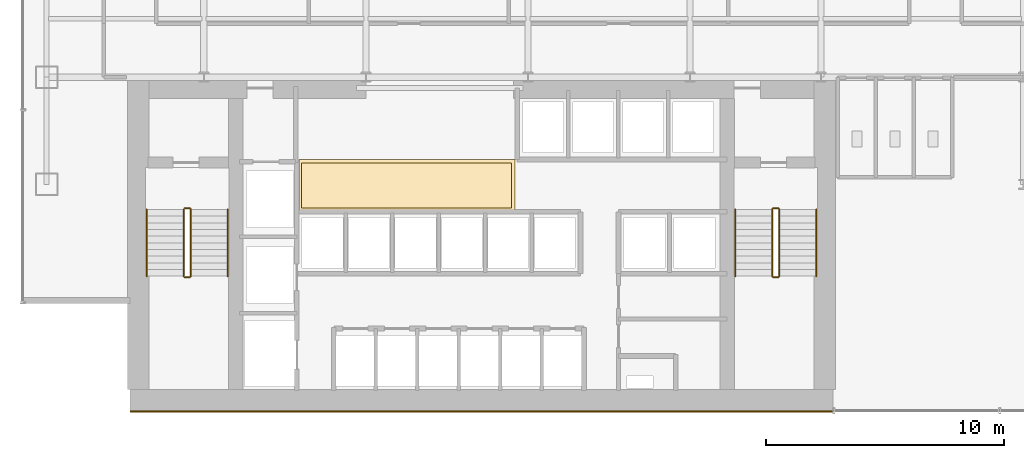
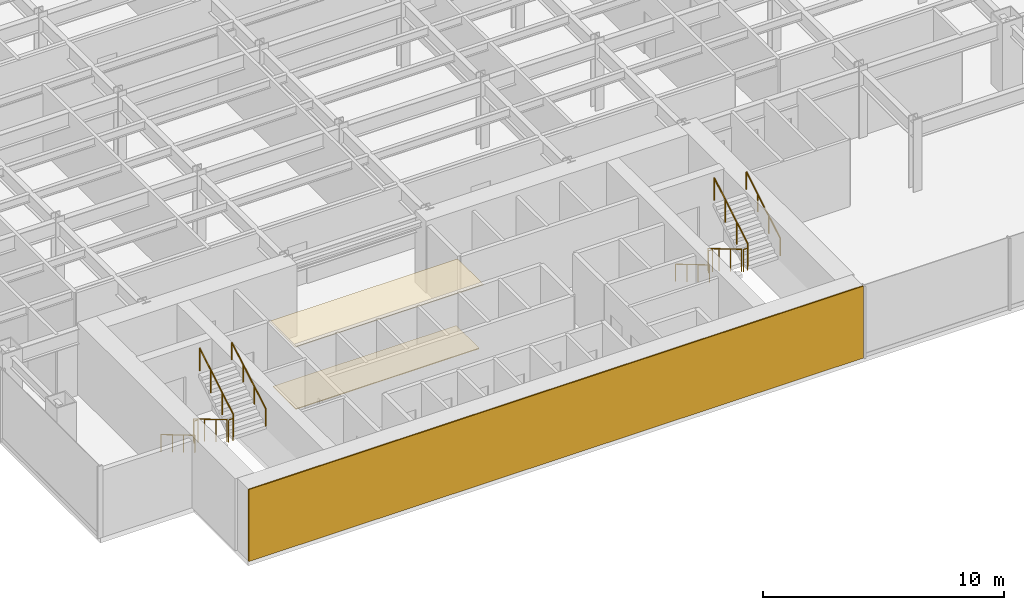
# One storey, part 21 of 23: 12 railings, 3 coverings.
"""IFC4 building model written with IfcOpenShell, lengths in metres."""

from ifc_helpers import new_model, si_unit, derived_unit, direction, frame, origin, origin_2d, place, context, subcontext, project, spatial, polyline, rectangle, circle, outline, extrude, source, transform, mapped, material, layer, layer_set, type_object, element, save


model = new_model("IFC4")

# Units and contexts
model_context = context("Model", 3, precision=1e-05, world=origin(), true_north=direction((0.0, 1.0)))
body_context = subcontext(model_context, "Body", "Model", "MODEL_VIEW")
ifc_project = project(units=[si_unit("LENGTHUNIT", "METRE"), si_unit("AREAUNIT", "SQUARE_METRE"), si_unit("VOLUMEUNIT", "CUBIC_METRE"), si_unit("PLANEANGLEUNIT", "RADIAN"), si_unit("MASSUNIT", "GRAM", prefix="KILO"), derived_unit("THERMALTRANSMITTANCEUNIT", [(si_unit("POWERUNIT", "WATT"), 1), (si_unit("LENGTHUNIT", "METRE"), -2), (si_unit("THERMODYNAMICTEMPERATUREUNIT", "KELVIN"), -1)])], contexts=[model_context])

# Site, building, storey
site_placement = place(None, origin())
site = spatial("IfcSite", under=ifc_project, at=site_placement, CompositionType="ELEMENT")
building_placement = place(site_placement, origin())
building = spatial("IfcBuilding", under=site, at=building_placement, Name="Skarnbrae Concourse Arena and Tower", CompositionType="ELEMENT")
storey_placement = place(building_placement, frame((0.0, 0.0, 47.10009765625)))
storey = spatial("IfcBuildingStorey", under=building, at=storey_placement, Name="L10", CompositionType="ELEMENT", Elevation=47.10009765625)

# Coverings
ifc_material_1 = material(Name="Mineral fibre acoustic ceiling tile", Category="other")
ifc_layer_1 = layer(ifc_material_1, 0.0400390625)
ifc_layer_set_1 = layer_set([ifc_layer_1], Name="Mineral fibre acoustic ceiling tile")
covering_type_1 = type_object("IfcCoveringType", Name="COV-CEIL-ACOUSTIC", PredefinedType="CEILING", material=ifc_layer_set_1)
covering_1_placement = place(storey_placement, frame((0.0, 0.0, 3.239990234375)))
element("IfcCovering", 1, at=covering_1_placement, inside=storey, type_object=covering_type_1, Name="L10 Lift lobby acoustic ceiling", PredefinedType="CEILING", context=body_context, shape_type="SweptSolid", body=[
    extrude(outline(polyline([(11.60009765625, 8.39990234375), (20.64990234375, 8.39990234375), (20.64990234375, 10.550048828125), (11.60009765625, 10.550048828125), (11.60009765625, 8.39990234375)])), origin(), (0.0, 0.0, 1.0), 0.039794921875),
])
ifc_material_2 = material(Name="Polished granite terrazzo flooring", Category="masonry")
ifc_layer_2 = layer(ifc_material_2, 0.0400390625)
ifc_layer_set_2 = layer_set([ifc_layer_2], Name="Polished granite terrazzo flooring")
covering_type_2 = type_object("IfcCoveringType", Name="COV-FLOOR-TERRAZZO", PredefinedType="FLOORING", material=ifc_layer_set_2)
covering_2_placement = place(storey_placement, origin())
element("IfcCovering", 2, at=covering_2_placement, inside=storey, type_object=covering_type_2, Name="L10 Lift lobby terrazzo flooring", PredefinedType="FLOORING", context=body_context, shape_type="SweptSolid", body=[
    extrude(outline(polyline([(11.699951171875, 8.5), (20.5, 8.5), (20.5, 10.39990234375), (11.699951171875, 10.39990234375), (11.699951171875, 8.5)])), origin(), (0.0, 0.0, 1.0), 0.039794921875),
])

# Railings
ifc_material_3 = material(Name="Steel CSA G40.21 350W", Category="steel")
railing_type_1 = type_object("IfcRailingType", Name="RAIL-HANDRAIL-900", PredefinedType="HANDRAIL", material=ifc_material_3)
railing_1_placement = place(storey_placement, frame((5.199951171875, 8.449951171875, 0.165771484375)))
element("IfcRailing", 3, at=railing_1_placement, inside=storey, type_object=railing_type_1, Name="L10 ST-1 stair handrail 1", PredefinedType="HANDRAIL", context=body_context, shape_type="SweptSolid", body=[
    extrude(circle(Radius=0.02392578125, at=origin_2d()), frame((0.0, 0.0, 0.8759765625), z_axis=(0.0, -0.860306154799, 0.50977771628), x_axis=(1.0, 0.0, 0.0)), (0.0, 0.0, 1.0), 3.254638671875),
    extrude(circle(Radius=0.02099609375, at=origin_2d()), origin(), (0.0, 0.0, 1.0), 0.851806640625),
    extrude(circle(Radius=0.02099609375, at=origin_2d()), frame((0.0, -0.933349609375, 0.552978515625)), (0.0, 0.0, 1.0), 0.851806640625),
    extrude(circle(Radius=0.02099609375, at=origin_2d()), frame((0.0, -1.86669921875, 1.106201171875)), (0.0, 0.0, 1.0), 0.851806640625),
    extrude(circle(Radius=0.02099609375, at=origin_2d()), frame((0.0, -2.800048828125, 1.6591796875)), (0.0, 0.0, 1.0), 0.851806640625),
])
railing_2_placement = place(storey_placement, frame((8.60009765625, 5.64990234375, 1.99072265625)))
element("IfcRailing", 4, at=railing_2_placement, inside=storey, type_object=railing_type_1, Name="L10 ST-1 stair handrail 2", PredefinedType="HANDRAIL", context=body_context, shape_type="SweptSolid", body=[
    extrude(circle(Radius=0.02392578125, at=origin_2d()), frame((0.0, 0.0, 0.8759765625), z_axis=(0.0, 0.860306154799, 0.50977771628), x_axis=(-1.0, 0.0, 0.0)), (0.0, 0.0, 1.0), 3.254638671875),
    extrude(circle(Radius=0.02099609375, at=origin_2d()), origin(), (0.0, 0.0, 1.0), 0.851806640625),
    extrude(circle(Radius=0.02099609375, at=origin_2d()), frame((0.0, 0.933349609375, 0.552978515625)), (0.0, 0.0, 1.0), 0.851806640625),
    extrude(circle(Radius=0.02099609375, at=origin_2d()), frame((0.0, 1.86669921875, 1.106201171875)), (0.0, 0.0, 1.0), 0.851806640625),
    extrude(circle(Radius=0.02099609375, at=origin_2d()), frame((0.0, 2.800048828125, 1.6591796875)), (0.0, 0.0, 1.0), 0.851806640625),
])
railing_3_placement = place(storey_placement, frame((29.89990234375, 8.449951171875, 0.165771484375)))
element("IfcRailing", 5, at=railing_3_placement, inside=storey, type_object=railing_type_1, Name="L10 ST-2 stair handrail 1", PredefinedType="HANDRAIL", context=body_context, shape_type="SweptSolid", body=[
    extrude(circle(Radius=0.02392578125, at=origin_2d()), frame((0.0, 0.0, 0.8759765625), z_axis=(0.0, -0.860306154799, 0.50977771628), x_axis=(1.0, 0.0, 0.0)), (0.0, 0.0, 1.0), 3.254638671875),
    extrude(circle(Radius=0.02099609375, at=origin_2d()), origin(), (0.0, 0.0, 1.0), 0.851806640625),
    extrude(circle(Radius=0.02099609375, at=origin_2d()), frame((0.0, -0.933349609375, 0.552978515625)), (0.0, 0.0, 1.0), 0.851806640625),
    extrude(circle(Radius=0.02099609375, at=origin_2d()), frame((0.0, -1.86669921875, 1.106201171875)), (0.0, 0.0, 1.0), 0.851806640625),
    extrude(circle(Radius=0.02099609375, at=origin_2d()), frame((0.0, -2.800048828125, 1.6591796875)), (0.0, 0.0, 1.0), 0.851806640625),
])
railing_4_placement = place(storey_placement, frame((33.300048828125, 5.64990234375, 1.99072265625)))
element("IfcRailing", 6, at=railing_4_placement, inside=storey, type_object=railing_type_1, Name="L10 ST-2 stair handrail 2", PredefinedType="HANDRAIL", context=body_context, shape_type="SweptSolid", body=[
    extrude(circle(Radius=0.02392578125, at=origin_2d()), frame((0.0, 0.0, 0.8759765625), z_axis=(0.0, 0.860306154799, 0.50977771628), x_axis=(-1.0, 0.0, 0.0)), (0.0, 0.0, 1.0), 3.254638671875),
    extrude(circle(Radius=0.02099609375, at=origin_2d()), origin(), (0.0, 0.0, 1.0), 0.851806640625),
    extrude(circle(Radius=0.02099609375, at=origin_2d()), frame((0.0, 0.933349609375, 0.552978515625)), (0.0, 0.0, 1.0), 0.851806640625),
    extrude(circle(Radius=0.02099609375, at=origin_2d()), frame((0.0, 1.86669921875, 1.106201171875)), (0.0, 0.0, 1.0), 0.851806640625),
    extrude(circle(Radius=0.02099609375, at=origin_2d()), frame((0.0, 2.800048828125, 1.6591796875)), (0.0, 0.0, 1.0), 0.851806640625),
])
railing_type_2 = type_object("IfcRailingType", Name="RAIL-STAIR-GUARD-1150", PredefinedType="GUARDRAIL", material=ifc_material_3)
railing_5_placement = place(storey_placement, frame((6.75, 8.449951171875, 0.165771484375)))
element("IfcRailing", 7, at=railing_5_placement, inside=storey, type_object=railing_type_2, Name="L10 ST-1 stair guard 1", PredefinedType="GUARDRAIL", context=body_context, shape_type="SweptSolid", body=[
    extrude(circle(Radius=0.02392578125, at=origin_2d()), frame((0.0, 0.0, 1.1259765625), z_axis=(0.0, -0.860306154799, 0.50977771628), x_axis=(1.0, 0.0, 0.0)), (0.0, 0.0, 1.0), 3.254638671875),
    extrude(circle(Radius=0.02099609375, at=origin_2d()), origin(), (0.0, 0.0, 1.0), 1.101806640625),
    extrude(circle(Radius=0.02099609375, at=origin_2d()), frame((0.0, -0.933349609375, 0.552978515625)), (0.0, 0.0, 1.0), 1.101806640625),
    extrude(circle(Radius=0.02099609375, at=origin_2d()), frame((0.0, -1.86669921875, 1.106201171875)), (0.0, 0.0, 1.0), 1.101806640625),
    extrude(circle(Radius=0.02099609375, at=origin_2d()), frame((0.0, -2.800048828125, 1.6591796875)), (0.0, 0.0, 1.0), 1.101806640625),
])
railing_6_placement = place(storey_placement, frame((6.800048828125, 5.60009765625, 1.824951171875)))
element("IfcRailing", 8, at=railing_6_placement, inside=storey, type_object=railing_type_2, Name="L10 ST-1 stair guard 2", PredefinedType="GUARDRAIL", context=body_context, shape_type="SweptSolid", body=[
    extrude(circle(Radius=0.02392578125, at=origin_2d()), frame((0.0, 0.0, 1.1259765625), z_axis=(1.0, 0.0, 0.0), x_axis=(0.0, 1.0, 0.0)), (0.0, 0.0, 1.0), 0.199951171875),
    extrude(circle(Radius=0.02099609375, at=origin_2d()), origin(), (0.0, 0.0, 1.0), 1.101806640625),
    extrude(circle(Radius=0.02099609375, at=origin_2d()), frame((0.199951171875, 0.0, 0.0)), (0.0, 0.0, 1.0), 1.101806640625),
])
railing_7_placement = place(storey_placement, frame((7.050048828125, 5.64990234375, 1.99072265625)))
element("IfcRailing", 9, at=railing_7_placement, inside=storey, type_object=railing_type_2, Name="L10 ST-1 stair guard 3", PredefinedType="GUARDRAIL", context=body_context, shape_type="SweptSolid", body=[
    extrude(circle(Radius=0.02392578125, at=origin_2d()), frame((0.0, 0.0, 1.1259765625), z_axis=(0.0, 0.860306154799, 0.50977771628), x_axis=(-1.0, 0.0, 0.0)), (0.0, 0.0, 1.0), 3.254638671875),
    extrude(circle(Radius=0.02099609375, at=origin_2d()), origin(), (0.0, 0.0, 1.0), 1.101806640625),
    extrude(circle(Radius=0.02099609375, at=origin_2d()), frame((0.0, 0.933349609375, 0.552978515625)), (0.0, 0.0, 1.0), 1.101806640625),
    extrude(circle(Radius=0.02099609375, at=origin_2d()), frame((0.0, 1.86669921875, 1.106201171875)), (0.0, 0.0, 1.0), 1.101806640625),
    extrude(circle(Radius=0.02099609375, at=origin_2d()), frame((0.0, 2.800048828125, 1.6591796875)), (0.0, 0.0, 1.0), 1.101806640625),
])
railing_8_placement = place(storey_placement, frame((6.800048828125, 8.5, 0.0)))
element("IfcRailing", 10, at=railing_8_placement, inside=storey, type_object=railing_type_2, Name="L10 ST-1 stair guard 4", PredefinedType="GUARDRAIL", context=body_context, shape_type="SweptSolid", body=[
    extrude(circle(Radius=0.02392578125, at=origin_2d()), frame((0.0, 0.0, 1.1259765625), z_axis=(1.0, 0.0, 0.0), x_axis=(0.0, 1.0, 0.0)), (0.0, 0.0, 1.0), 0.199951171875),
    extrude(circle(Radius=0.02099609375, at=origin_2d()), origin(), (0.0, 0.0, 1.0), 1.101806640625),
    extrude(circle(Radius=0.02099609375, at=origin_2d()), frame((0.199951171875, 0.0, 0.0)), (0.0, 0.0, 1.0), 1.101806640625),
])
railing_9_placement = place(storey_placement, frame((31.449951171875, 8.449951171875, 0.165771484375)))
element("IfcRailing", 11, at=railing_9_placement, inside=storey, type_object=railing_type_2, Name="L10 ST-2 stair guard 1", PredefinedType="GUARDRAIL", context=body_context, shape_type="SweptSolid", body=[
    extrude(circle(Radius=0.02392578125, at=origin_2d()), frame((0.0, 0.0, 1.1259765625), z_axis=(0.0, -0.860306154799, 0.50977771628), x_axis=(1.0, 0.0, 0.0)), (0.0, 0.0, 1.0), 3.254638671875),
    extrude(circle(Radius=0.02099609375, at=origin_2d()), origin(), (0.0, 0.0, 1.0), 1.101806640625),
    extrude(circle(Radius=0.02099609375, at=origin_2d()), frame((0.0, -0.933349609375, 0.552978515625)), (0.0, 0.0, 1.0), 1.101806640625),
    extrude(circle(Radius=0.02099609375, at=origin_2d()), frame((0.0, -1.86669921875, 1.106201171875)), (0.0, 0.0, 1.0), 1.101806640625),
    extrude(circle(Radius=0.02099609375, at=origin_2d()), frame((0.0, -2.800048828125, 1.6591796875)), (0.0, 0.0, 1.0), 1.101806640625),
])
railing_10_placement = place(storey_placement, frame((31.5, 5.60009765625, 1.824951171875)))
element("IfcRailing", 12, at=railing_10_placement, inside=storey, type_object=railing_type_2, Name="L10 ST-2 stair guard 2", PredefinedType="GUARDRAIL", context=body_context, shape_type="SweptSolid", body=[
    extrude(circle(Radius=0.02392578125, at=origin_2d()), frame((0.0, 0.0, 1.1259765625), z_axis=(1.0, 0.0, 0.0), x_axis=(0.0, 1.0, 0.0)), (0.0, 0.0, 1.0), 0.199951171875),
    extrude(circle(Radius=0.02099609375, at=origin_2d()), origin(), (0.0, 0.0, 1.0), 1.101806640625),
    extrude(circle(Radius=0.02099609375, at=origin_2d()), frame((0.199951171875, 0.0, 0.0)), (0.0, 0.0, 1.0), 1.101806640625),
])
railing_11_placement = place(storey_placement, frame((31.75, 5.64990234375, 1.99072265625)))
element("IfcRailing", 13, at=railing_11_placement, inside=storey, type_object=railing_type_2, Name="L10 ST-2 stair guard 3", PredefinedType="GUARDRAIL", context=body_context, shape_type="SweptSolid", body=[
    extrude(circle(Radius=0.02392578125, at=origin_2d()), frame((0.0, 0.0, 1.1259765625), z_axis=(0.0, 0.860306154799, 0.50977771628), x_axis=(-1.0, 0.0, 0.0)), (0.0, 0.0, 1.0), 3.254638671875),
    extrude(circle(Radius=0.02099609375, at=origin_2d()), origin(), (0.0, 0.0, 1.0), 1.101806640625),
    extrude(circle(Radius=0.02099609375, at=origin_2d()), frame((0.0, 0.933349609375, 0.552978515625)), (0.0, 0.0, 1.0), 1.101806640625),
    extrude(circle(Radius=0.02099609375, at=origin_2d()), frame((0.0, 1.86669921875, 1.106201171875)), (0.0, 0.0, 1.0), 1.101806640625),
    extrude(circle(Radius=0.02099609375, at=origin_2d()), frame((0.0, 2.800048828125, 1.6591796875)), (0.0, 0.0, 1.0), 1.101806640625),
])
railing_12_placement = place(storey_placement, frame((31.5, 8.5, 0.0)))
element("IfcRailing", 14, at=railing_12_placement, inside=storey, type_object=railing_type_2, Name="L10 ST-2 stair guard 4", PredefinedType="GUARDRAIL", context=body_context, shape_type="SweptSolid", body=[
    extrude(circle(Radius=0.02392578125, at=origin_2d()), frame((0.0, 0.0, 1.1259765625), z_axis=(1.0, 0.0, 0.0), x_axis=(0.0, 1.0, 0.0)), (0.0, 0.0, 1.0), 0.199951171875),
    extrude(circle(Radius=0.02099609375, at=origin_2d()), origin(), (0.0, 0.0, 1.0), 1.101806640625),
    extrude(circle(Radius=0.02099609375, at=origin_2d()), frame((0.199951171875, 0.0, 0.0)), (0.0, 0.0, 1.0), 1.101806640625),
])

# Covering
ifc_material_4 = material(Name="Bronze anodised aluminium 6063-T6", Category="aluminium")
ifc_layer_3 = layer(ifc_material_4, 0.06005859375)
ifc_layer_set_3 = layer_set([ifc_layer_3], Name="Bronze anodised aluminium 6063-T6")
covering_type_3 = type_object("IfcCoveringType", Name="COV-CLAD-BRONZE-60", PredefinedType="CLADDING", material=ifc_layer_set_3)
shared_shape = source(origin(), body_context, "Body", "SweptSolid", [
    extrude(rectangle(XDim=29.5, YDim=0.06005859375, at=origin_2d()), origin(), (0.0, 0.0, 1.0), 3.64990234375),
])
covering_3_placement = place(storey_placement, frame((19.25, -0.030029296875, 0.0), z_axis=(0.0, 0.0, 1.0), x_axis=(1.0, 0.0, 0.0)))
element("IfcCovering", 15, at=covering_3_placement, inside=storey, type_object=covering_type_3, Name="L10 Rear-core plumb spine bronze rainscreen panel", PredefinedType="CLADDING", context=body_context, shape_type="MappedRepresentation", body=[
    mapped(shared_shape, transform((0.0, 0.0, 0.0))),
])

save(model, "model.ifc")
